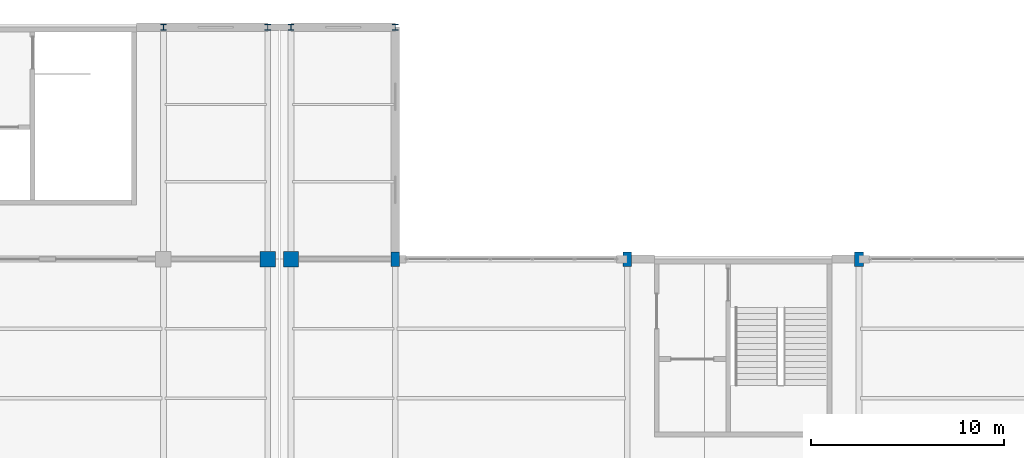
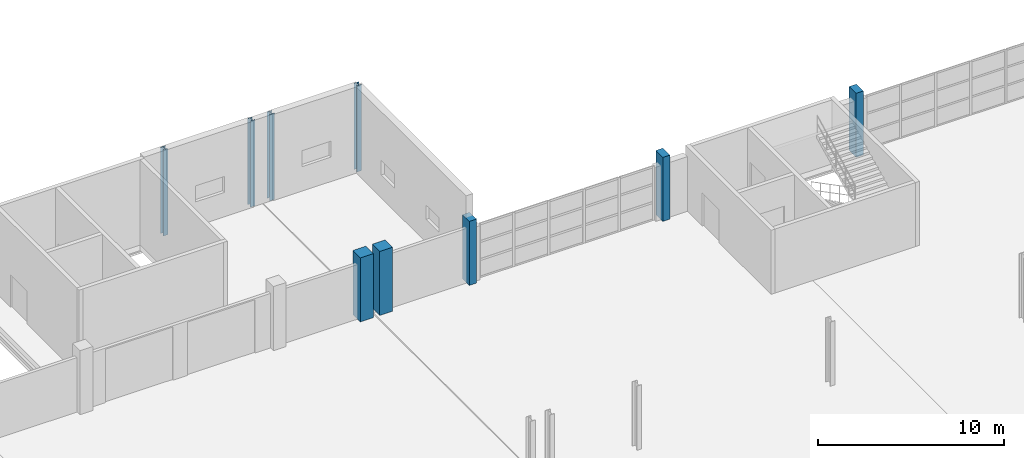
# One storey, part 25 of 147: 9 columns.
"""IFC4 building model written with IfcOpenShell, lengths in metres."""

from ifc_helpers import new_model, si_unit, direction, frame, origin, origin_2d, place, context, subcontext, project, spatial, rectangle, i_section, extrude, material, material_profile, profile_set, type_object, element, save


model = new_model("IFC4")

# Units and contexts
model_context = context("Model", 3, precision=1e-05, world=origin(), true_north=direction((0.0, 1.0)))
body_context = subcontext(model_context, "Body", "Model", "MODEL_VIEW")
ifc_project = project(units=[si_unit("LENGTHUNIT", "METRE"), si_unit("AREAUNIT", "SQUARE_METRE"), si_unit("VOLUMEUNIT", "CUBIC_METRE"), si_unit("PLANEANGLEUNIT", "RADIAN"), si_unit("MASSUNIT", "GRAM", prefix="KILO")], contexts=[model_context])

# Site, building, storey
site_placement = place(None, origin())
site = spatial("IfcSite", under=ifc_project, at=site_placement, CompositionType="ELEMENT")
building_placement = place(site_placement, origin())
building = spatial("IfcBuilding", under=site, at=building_placement, Name="Zilviju Railside Exhibition Hall", CompositionType="ELEMENT")
storey_placement = place(building_placement, frame((0.0, 0.0, 8.39990234375)))
storey = spatial("IfcBuildingStorey", under=building, at=storey_placement, Name="L03", CompositionType="ELEMENT", Elevation=8.39990234375)

# Columns
ifc_material_1 = material(Name="Concrete C40/50", Category="concrete")
ifc_material_profile_1 = material_profile(ifc_material_1, rectangle(XDim=0.800048828125, YDim=0.800048828125, at=origin_2d()), Name="RC COL 800x800")
ifc_profile_set_1 = profile_set([ifc_material_profile_1], Name="Concrete C40/50")
column_type_1 = type_object("IfcColumnType", Name="COL-RC-800", PredefinedType="COLUMN", material=ifc_profile_set_1)
for number, where, z_axis, x_axis, name in (
    (1, (173.39990234375, 138.0, 0.0), (0.0, 0.0, 1.0), (1.0, 0.0, 0.0), "Structural Column L03 (173.4, 138.0)"),
    (2, (174.60009765625, 138.0, 0.0), (0.0, 0.0, 1.0), (1.0, 0.0, 0.0), "Structural Column L03 (174.6, 138.0)"),
):
    element("IfcColumn", number, at=place(storey_placement, frame(where, z_axis=z_axis, x_axis=x_axis)), inside=storey, type_object=column_type_1, Name=name, PredefinedType="COLUMN", context=body_context, shape_type="SweptSolid", body=[
        extrude(rectangle(XDim=0.800048828125, YDim=0.800048828125, at=origin_2d()), origin(), (0.0, 0.0, 1.0), 4.2001953125),
    ])
ifc_material_2 = material(Name="Steel S355J2", Category="steel")
ifc_material_profile_2 = material_profile(ifc_material_2, i_section(OverallWidth=0.300048828125, OverallDepth=0.300048828125, WebThickness=0.010986328125, FlangeThickness=0.01904296875, at=origin_2d()), Name="HEB 300")
ifc_profile_set_2 = profile_set([ifc_material_profile_2], Name="Steel S355J2")
column_type_2 = type_object("IfcColumnType", Name="COL-ST-HEB300", PredefinedType="COLUMN", material=ifc_profile_set_2)
for number, where, z_axis, x_axis, name in (
    (3, (168.0, 150.0, 0.0), (0.0, 0.0, 1.0), (1.0, 0.0, 0.0), "Structural Column L03 (168.0, 150.0)"),
    (4, (173.39990234375, 150.0, 0.0), (0.0, 0.0, 1.0), (1.0, 0.0, 0.0), "Structural Column L03 (173.4, 150.0)"),
    (5, (174.60009765625, 150.0, 0.0), (0.0, 0.0, 1.0), (1.0, 0.0, 0.0), "Structural Column L03 (174.6, 150.0)"),
    (6, (180.0, 150.0, 0.0), (0.0, 0.0, 1.0), (1.0, 0.0, 0.0), "Structural Column L03 (180.0, 150.0)"),
):
    element("IfcColumn", number, at=place(storey_placement, frame(where, z_axis=z_axis, x_axis=x_axis)), inside=storey, type_object=column_type_2, Name=name, PredefinedType="COLUMN", context=body_context, shape_type="SweptSolid", body=[
        extrude(i_section(OverallWidth=0.300048828125, OverallDepth=0.300048828125, WebThickness=0.010986328125, FlangeThickness=0.01904296875, at=origin_2d()), origin(), (0.0, 0.0, 1.0), 5.650146484375),
    ])
ifc_material_profile_3 = material_profile(ifc_material_1, rectangle(XDim=0.449951171875, YDim=0.75, at=origin_2d()), Name="RC COL 450x750")
ifc_profile_set_3 = profile_set([ifc_material_profile_3], Name="Concrete C40/50")
column_type_3 = type_object("IfcColumnType", Name="PIL-RC-750x450", PredefinedType="PILASTER", material=ifc_profile_set_3)
for number, where, z_axis, x_axis, name in (
    (7, (180.0, 138.0, 0.0), (0.0, 0.0, 1.0), (1.0, 0.0, 0.0), "Structural Column L03 (180.0, 138.0)"),
    (8, (192.0, 138.0, 0.0), (0.0, 0.0, 1.0), (1.0, 0.0, 0.0), "Structural Column L03 (192.0, 138.0)"),
    (9, (204.0, 138.0, 0.0), (0.0, 0.0, 1.0), (1.0, 0.0, 0.0), "Structural Column L03 (204.0, 138.0)"),
):
    element("IfcColumn", number, at=place(storey_placement, frame(where, z_axis=z_axis, x_axis=x_axis)), inside=storey, type_object=column_type_3, Name=name, PredefinedType="PILASTER", context=body_context, shape_type="SweptSolid", body=[
        extrude(rectangle(XDim=0.449951171875, YDim=0.75, at=origin_2d()), origin(), (0.0, 0.0, 1.0), 4.2001953125),
    ])

save(model, "model.ifc")
